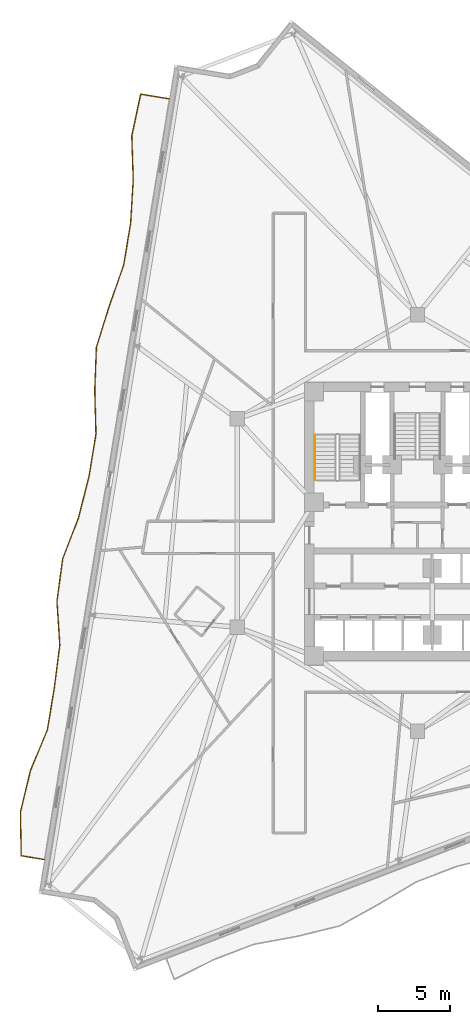
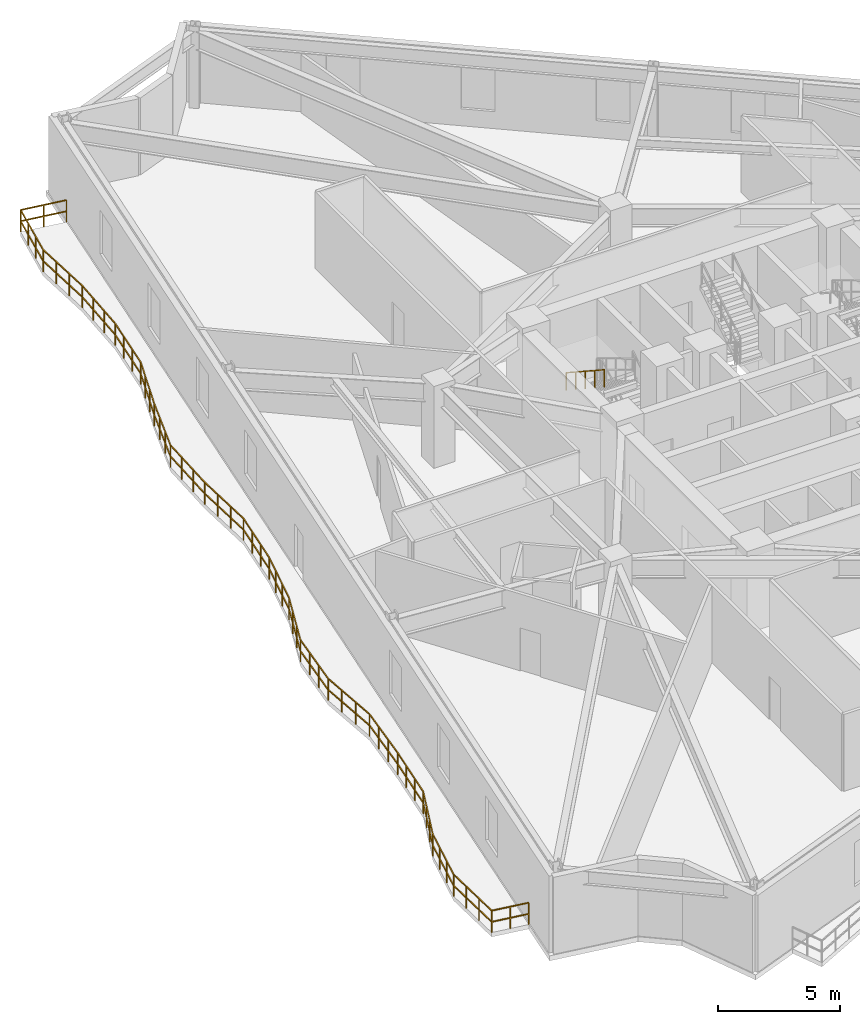
# One storey, part 9 of 10: 2 railings.
"""IFC4 building model written with IfcOpenShell, lengths in metres."""

import ifcopenshell
import ifcopenshell.guid

model = None  # the IFC model being written
_history = None  # IfcOwnerHistory: only IFC2X3 demands one
_inside = {}  # id of a spatial element -> (the spatial element, [elements in it])
_under = {}  # id of a project, library or spatial element -> (it, [spatial elements below it])
_declared = {}  # id of a project -> (the project, [libraries it declares])
_typed = {}  # id of a type object -> (the type object, [elements of that type])
_made_of = {}  # id of a material, layer set ... -> (it, [elements and type objects made of it])


def new_model(schema):
    """Start an empty IFC model of exactly this schema.

    Asked for "IFC4X3", IfcOpenShell would pick the latest addendum, in which some entities
    have other attributes; the version numbers below select the first issue.
    IFC2X3 requires an IfcOwnerHistory on every rooted entity: one is made here for all.
    """
    global model, _history
    if schema == "IFC4X3":
        model = ifcopenshell.file(schema_version=(4, 3, 0, 0))
    else:
        model = ifcopenshell.file(schema=schema)
    _inside.clear()
    _under.clear()
    _declared.clear()
    _typed.clear()
    _made_of.clear()
    _history = None
    if model.schema == "IFC2X3":
        org = make("IfcOrganization", Name="unknown")
        user = make(
            "IfcPersonAndOrganization",
            ThePerson=make("IfcPerson", FamilyName="unknown"),
            TheOrganization=org,
        )
        app = make(
            "IfcApplication",
            ApplicationDeveloper=org,
            Version="unknown",
            ApplicationFullName="unknown",
            ApplicationIdentifier="unknown",
        )
        _history = make(
            "IfcOwnerHistory",
            OwningUser=user,
            OwningApplication=app,
            ChangeAction="ADDED",
            CreationDate=0,
        )
    return model


def make(cls, **values):
    """One entity of the class cls with the attributes given. An attribute that is None is left unset."""
    return model.create_entity(
        cls, **{name: value for name, value in values.items() if value is not None}
    )


def rooted(cls, **values):
    """An entity with a GlobalId (a new one), such as an element, a storey or a relation."""
    return make(cls, GlobalId=ifcopenshell.guid.new(), OwnerHistory=_history, **values)


def si_unit(unit_type, name, prefix=None):
    """IfcSIUnit, for example si_unit("LENGTHUNIT", "METRE", prefix="MILLI")."""
    return make("IfcSIUnit", UnitType=unit_type, Prefix=prefix, Name=name)


def assignment(units):
    """IfcUnitAssignment: the units of a project."""
    return None if units is None else make("IfcUnitAssignment", Units=units)


def point(xyz):
    """IfcCartesianPoint."""
    return None if xyz is None else make("IfcCartesianPoint", Coordinates=xyz)


def direction(xyz):
    """IfcDirection."""
    return None if xyz is None else make("IfcDirection", DirectionRatios=xyz)


def frame(location, z_axis=None, x_axis=None):
    """IfcAxis2Placement3D, a coordinate frame: its origin and axes. An axis left out is left unset."""
    return make(
        "IfcAxis2Placement3D",
        Location=point(location),
        Axis=direction(z_axis),
        RefDirection=direction(x_axis),
    )


def frame_2d(location, x_axis=None):
    """IfcAxis2Placement2D, a coordinate frame in the plane: its origin and x axis."""
    return make(
        "IfcAxis2Placement2D", Location=point(location), RefDirection=direction(x_axis)
    )


def origin():
    """The frame at (0, 0, 0) with its axes left unset."""
    return frame((0.0, 0.0, 0.0))


def origin_2d():
    """The frame at (0, 0) in the plane with its x axis left unset."""
    return frame_2d((0.0, 0.0))


def place(relative_to, where):
    """IfcLocalPlacement: puts the frame where relative to a parent placement (None: the world)."""
    return make(
        "IfcLocalPlacement", PlacementRelTo=relative_to, RelativePlacement=where
    )


def context(
    kind, dimensions, precision=None, world=None, true_north=None, identifier=None
):
    """IfcGeometricRepresentationContext, for example the 3D "Model" context."""
    return make(
        "IfcGeometricRepresentationContext",
        ContextIdentifier=identifier,
        ContextType=kind,
        CoordinateSpaceDimension=dimensions,
        Precision=precision,
        WorldCoordinateSystem=world,
        TrueNorth=true_north,
    )


def subcontext(parent, identifier, kind, view, scale=None):
    """IfcGeometricRepresentationSubContext, for example "Body" below "Model"."""
    return make(
        "IfcGeometricRepresentationSubContext",
        ContextIdentifier=identifier,
        ContextType=kind,
        ParentContext=parent,
        TargetScale=scale,
        TargetView=view,
    )


def project(units=None, contexts=None):
    """IfcProject with its units and contexts."""
    return rooted(
        "IfcProject",
        Name="project",
        RepresentationContexts=contexts,
        UnitsInContext=assignment(units),
    )


def spatial(cls, under=None, at=None, **own):
    """A site, building, storey or space (cls), placed at a placement, below another one or the project."""
    s = rooted(cls, ObjectPlacement=at, **own)
    if under is not None:
        _under.setdefault(under.id(), (under, []))[1].append(s)
    return s


def profile(cls, at=None, kind="AREA", **sizes):
    """A parametric profile (cls). Its sizes go by their IFC names, for example OverallWidth=200.0."""
    return make(cls, ProfileType=kind, Position=at, **sizes)


def rectangle(**sizes):
    """IfcRectangleProfileDef."""
    return profile("IfcRectangleProfileDef", **sizes)


def extrude(swept, where, along, depth):
    """IfcExtrudedAreaSolid: the profile swept, set in the frame where, extruded along a direction by depth."""
    return make(
        "IfcExtrudedAreaSolid",
        SweptArea=swept,
        Position=where,
        ExtrudedDirection=direction(along),
        Depth=depth,
    )


def shape(context_of_items, identifier, shape_type, items):
    """IfcShapeRepresentation: the items that make up one representation, for example the "Body"."""
    return make(
        "IfcShapeRepresentation",
        ContextOfItems=context_of_items,
        RepresentationIdentifier=identifier,
        RepresentationType=shape_type,
        Items=items,
    )


def material(Name=None, Category=None):
    """IfcMaterial."""
    return make("IfcMaterial", Name=Name, Category=Category)


def made_of(thing, what):
    """Note that an element or type object is made of a material, layer set ...; save() writes the relation."""
    if what is not None:
        _made_of.setdefault(what.id(), (what, []))[1].append(thing)
    return thing


def type_object(cls, material=None, **own):
    """A type object (cls), such as IfcWallType, which elements share."""
    return made_of(rooted(cls, **own), material)


def element(
    cls,
    number,
    at=None,
    inside=None,
    cuts=None,
    type_object=None,
    material=None,
    context=None,
    identifier="Body",
    shape_type=None,
    held_by="IfcProductDefinitionShape",
    body=None,
    shapes=None,
    **own,
):
    """One element of the class cls, such as IfcWall. Its Tag is "e" and its number.

    at: its placement. inside: the storey or other place that contains it. cuts: it is an
    opening in that element (IfcRelVoidsElement). A single representation is given by context,
    identifier, shape_type and body (its items); several are given by shapes. held_by: the class
    of the entity that holds the representations. save() writes the other relations.
    """
    e = rooted(cls, Tag="e%d" % number, ObjectPlacement=at, **own)
    if body is not None:
        shapes = [shape(context, identifier, shape_type, body)]
    if shapes is not None:
        e.Representation = make(held_by, Representations=shapes)
    if inside is not None:
        _inside.setdefault(inside.id(), (inside, []))[1].append(e)
    if cuts is not None:
        rooted(
            "IfcRelVoidsElement", RelatingBuildingElement=cuts, RelatedOpeningElement=e
        )
    if type_object is not None:
        _typed.setdefault(type_object.id(), (type_object, []))[1].append(e)
    return made_of(e, material)


def aggregate(whole, parts):
    """IfcRelAggregates: a whole, such as a stair, and the parts it consists of."""
    return rooted("IfcRelAggregates", RelatingObject=whole, RelatedObjects=parts)


def save(model, path):
    """Write the relations noted so far, then the file.

    IfcRelAggregates (storeys below a building ...), IfcRelContainedInSpatialStructure (elements
    in a storey), IfcRelDefinesByType, IfcRelAssociatesMaterial and IfcRelDeclares: one each for
    every whole, place, type object, material and project.
    """
    for whole, parts in _under.values():
        aggregate(whole, parts)
    for where, things in _inside.values():
        rooted(
            "IfcRelContainedInSpatialStructure",
            RelatedElements=things,
            RelatingStructure=where,
        )
    for kind, things in _typed.values():
        rooted("IfcRelDefinesByType", RelatedObjects=things, RelatingType=kind)
    for what, things in _made_of.values():
        rooted("IfcRelAssociatesMaterial", RelatedObjects=things, RelatingMaterial=what)
    for by, libraries in _declared.values():
        rooted("IfcRelDeclares", RelatingContext=by, RelatedDefinitions=libraries)
    model.write(path)


model = new_model("IFC4")

# Units and contexts
model_context = context("Model", 3, precision=1e-05, world=origin(), true_north=direction((0.0, 1.0)))
body_context = subcontext(model_context, "Body", "Model", "MODEL_VIEW")
ifc_project = project(units=[si_unit("LENGTHUNIT", "METRE"), si_unit("AREAUNIT", "SQUARE_METRE"), si_unit("VOLUMEUNIT", "CUBIC_METRE"), si_unit("PLANEANGLEUNIT", "RADIAN"), si_unit("MASSUNIT", "GRAM", prefix="KILO")], contexts=[model_context])

# Site, building, storey
site_placement = place(None, origin())
site = spatial("IfcSite", under=ifc_project, at=site_placement, CompositionType="ELEMENT")
building_placement = place(site_placement, origin())
building = spatial("IfcBuilding", under=site, at=building_placement, Name="Apsidion Concourse Tower", CompositionType="ELEMENT")
storey_placement = place(building_placement, frame((0.0, 0.0, 144.5)))
storey = spatial("IfcBuildingStorey", under=building, at=storey_placement, Name="L33", CompositionType="ELEMENT", Elevation=144.5)

# Railings
ifc_material = material(Name="Brushed stainless steel 316", Category="steel")
railing_type_1 = type_object("IfcRailingType", Name="RL-BAL-1120", PredefinedType="BALUSTRADE", material=ifc_material)
railing_1_placement = place(storey_placement, frame((-25.99072265625, -23.43701171875, 0.0)))
element("IfcRailing", 1, at=railing_1_placement, inside=storey, type_object=railing_type_1, Name="L33 Face 1 Rippling Balcony Balustrade", PredefinedType="BALUSTRADE", context=body_context, shape_type="SweptSolid", body=[
    extrude(rectangle(XDim=0.048095703125, YDim=0.048095703125, at=origin_2d()), frame((0.0, 0.0, 1.09619140625), z_axis=(-0.986776208427, 0.162088600716, 0.0), x_axis=(-0.162088600716, -0.986776208427, 0.0)), (0.0, 0.0, 1.0), 1.628173828125),
    extrude(rectangle(XDim=0.048095703125, YDim=0.048095703125, at=origin_2d()), frame((0.0, 0.0, 0.5361328125), z_axis=(-0.986776208427, 0.162088600716, 0.0), x_axis=(-0.162088600716, -0.986776208427, 0.0)), (0.0, 0.0, 1.0), 1.628173828125),
    extrude(rectangle(XDim=0.048095703125, YDim=0.048095703125, at=origin_2d()), frame((-1.606689453125, 0.263916015625, 1.09619140625), z_axis=(-0.018597314575, 0.99982705499, 0.0), x_axis=(-0.99982705499, -0.018597314575, 0.0)), (0.0, 0.0, 1.0), 3.032470703125),
    extrude(rectangle(XDim=0.048095703125, YDim=0.048095703125, at=origin_2d()), frame((-1.606689453125, 0.263916015625, 0.5361328125), z_axis=(-0.018597314575, 0.99982705499, 0.0), x_axis=(-0.99982705499, -0.018597314575, 0.0)), (0.0, 0.0, 1.0), 3.032470703125),
    extrude(rectangle(XDim=0.048095703125, YDim=0.048095703125, at=origin_2d()), frame((-1.6630859375, 3.2958984375, 1.09619140625), z_axis=(0.23320932401, 0.972426558253, 0.0), x_axis=(-0.972426558253, 0.23320932401, 0.0)), (0.0, 0.0, 1.0), 2.990966796875),
    extrude(rectangle(XDim=0.048095703125, YDim=0.048095703125, at=origin_2d()), frame((-1.6630859375, 3.2958984375, 0.5361328125), z_axis=(0.23320932401, 0.972426558253, 0.0), x_axis=(-0.972426558253, 0.23320932401, 0.0)), (0.0, 0.0, 1.0), 2.990966796875),
    extrude(rectangle(XDim=0.048095703125, YDim=0.048095703125, at=origin_2d()), frame((-0.965576171875, 6.204345703125, 1.09619140625), z_axis=(0.385435147258, 0.92273492795, 0.0), x_axis=(-0.92273492795, 0.385435147258, 0.0)), (0.0, 0.0, 1.0), 3.065673828125),
    extrude(rectangle(XDim=0.048095703125, YDim=0.048095703125, at=origin_2d()), frame((-0.965576171875, 6.204345703125, 0.5361328125), z_axis=(0.385435147258, 0.92273492795, 0.0), x_axis=(-0.92273492795, 0.385435147258, 0.0)), (0.0, 0.0, 1.0), 3.065673828125),
    extrude(rectangle(XDim=0.048095703125, YDim=0.048095703125, at=origin_2d()), frame((0.216064453125, 9.033203125, 1.09619140625), z_axis=(0.161969706487, 0.986795730727, 0.0), x_axis=(-0.986795730727, 0.161969706487, 0.0)), (0.0, 0.0, 1.0), 2.98291015625),
    extrude(rectangle(XDim=0.048095703125, YDim=0.048095703125, at=origin_2d()), frame((0.216064453125, 9.033203125, 0.5361328125), z_axis=(0.161969706487, 0.986795730727, 0.0), x_axis=(-0.986795730727, 0.161969706487, 0.0)), (0.0, 0.0, 1.0), 2.98291015625),
    extrude(rectangle(XDim=0.048095703125, YDim=0.048095703125, at=origin_2d()), frame((0.69921875, 11.976806640625, 1.09619140625), z_axis=(0.127356211224, 0.991857043864, 0.0), x_axis=(-0.991857043864, 0.127356211224, 0.0)), (0.0, 0.0, 1.0), 2.98486328125),
    extrude(rectangle(XDim=0.048095703125, YDim=0.048095703125, at=origin_2d()), frame((0.69921875, 11.976806640625, 0.5361328125), z_axis=(0.127356211224, 0.991857043864, 0.0), x_axis=(-0.991857043864, 0.127356211224, 0.0)), (0.0, 0.0, 1.0), 2.98486328125),
    extrude(rectangle(XDim=0.048095703125, YDim=0.048095703125, at=origin_2d()), frame((1.079345703125, 14.937255859375, 1.09619140625), z_axis=(-0.064825405761, 0.997896621283, 0.0), x_axis=(-0.997896621283, -0.064825405761, 0.0)), (0.0, 0.0, 1.0), 3.061767578125),
    extrude(rectangle(XDim=0.048095703125, YDim=0.048095703125, at=origin_2d()), frame((1.079345703125, 14.937255859375, 0.5361328125), z_axis=(-0.064825405761, 0.997896621283, 0.0), x_axis=(-0.997896621283, -0.064825405761, 0.0)), (0.0, 0.0, 1.0), 3.061767578125),
    extrude(rectangle(XDim=0.048095703125, YDim=0.048095703125, at=origin_2d()), frame((0.880859375, 17.99267578125, 1.09619140625), z_axis=(0.133674697255, 0.99102526472, 0.0), x_axis=(-0.99102526472, 0.133674697255, 0.0)), (0.0, 0.0, 1.0), 2.984375),
    extrude(rectangle(XDim=0.048095703125, YDim=0.048095703125, at=origin_2d()), frame((0.880859375, 17.99267578125, 0.5361328125), z_axis=(0.133674697255, 0.99102526472, 0.0), x_axis=(-0.99102526472, 0.133674697255, 0.0)), (0.0, 0.0, 1.0), 2.984375),
    extrude(rectangle(XDim=0.048095703125, YDim=0.048095703125, at=origin_2d()), frame((1.27978515625, 20.9501953125, 1.09619140625), z_axis=(0.360578288489, 0.932728951984, 0.0), x_axis=(-0.932728951984, 0.360578288489, 0.0)), (0.0, 0.0, 1.0), 3.047607421875),
    extrude(rectangle(XDim=0.048095703125, YDim=0.048095703125, at=origin_2d()), frame((1.27978515625, 20.9501953125, 0.5361328125), z_axis=(0.360578288489, 0.932728951984, 0.0), x_axis=(-0.932728951984, 0.360578288489, 0.0)), (0.0, 0.0, 1.0), 3.047607421875),
    extrude(rectangle(XDim=0.048095703125, YDim=0.048095703125, at=origin_2d()), frame((2.378662109375, 23.792724609375, 1.09619140625), z_axis=(0.245949555055, 0.969282629767, 0.0), x_axis=(-0.969282629767, 0.245949555055, 0.0)), (0.0, 0.0, 1.0), 2.993896484375),
    extrude(rectangle(XDim=0.048095703125, YDim=0.048095703125, at=origin_2d()), frame((2.378662109375, 23.792724609375, 0.5361328125), z_axis=(0.245949555055, 0.969282629767, 0.0), x_axis=(-0.969282629767, 0.245949555055, 0.0)), (0.0, 0.0, 1.0), 2.993896484375),
    extrude(rectangle(XDim=0.048095703125, YDim=0.048095703125, at=origin_2d()), frame((3.114990234375, 26.694580078125, 1.09619140625), z_axis=(0.161969706487, 0.986795730727, 0.0), x_axis=(-0.986795730727, 0.161969706487, 0.0)), (0.0, 0.0, 1.0), 2.98291015625),
    extrude(rectangle(XDim=0.048095703125, YDim=0.048095703125, at=origin_2d()), frame((3.114990234375, 26.694580078125, 0.5361328125), z_axis=(0.161969706487, 0.986795730727, 0.0), x_axis=(-0.986795730727, 0.161969706487, 0.0)), (0.0, 0.0, 1.0), 2.98291015625),
    extrude(rectangle(XDim=0.048095703125, YDim=0.048095703125, at=origin_2d()), frame((3.59814453125, 29.63818359375, 1.09619140625), z_axis=(-0.028286771198, 0.999599849227, 0.0), x_axis=(-0.999599849227, -0.028286771198, 0.0)), (0.0, 0.0, 1.0), 3.0380859375),
    extrude(rectangle(XDim=0.048095703125, YDim=0.048095703125, at=origin_2d()), frame((3.59814453125, 29.63818359375, 0.5361328125), z_axis=(-0.028286771198, 0.999599849227, 0.0), x_axis=(-0.999599849227, -0.028286771198, 0.0)), (0.0, 0.0, 1.0), 3.0380859375),
    extrude(rectangle(XDim=0.048095703125, YDim=0.048095703125, at=origin_2d()), frame((3.51220703125, 32.675048828125, 1.09619140625), z_axis=(0.038330202382, 0.999265127774, 0.0), x_axis=(-0.999265127774, 0.038330202382, 0.0)), (0.0, 0.0, 1.0), 3.00634765625),
    extrude(rectangle(XDim=0.048095703125, YDim=0.048095703125, at=origin_2d()), frame((3.51220703125, 32.675048828125, 0.5361328125), z_axis=(0.038330202382, 0.999265127774, 0.0), x_axis=(-0.999265127774, 0.038330202382, 0.0)), (0.0, 0.0, 1.0), 3.00634765625),
    extrude(rectangle(XDim=0.048095703125, YDim=0.048095703125, at=origin_2d()), frame((3.62744140625, 35.67919921875, 1.09619140625), z_axis=(0.298325753844, 0.954464113832, 0.0), x_axis=(-0.954464113832, 0.298325753844, 0.0)), (0.0, 0.0, 1.0), 3.012451171875),
    extrude(rectangle(XDim=0.048095703125, YDim=0.048095703125, at=origin_2d()), frame((3.62744140625, 35.67919921875, 0.5361328125), z_axis=(0.298325753844, 0.954464113832, 0.0), x_axis=(-0.954464113832, 0.298325753844, 0.0)), (0.0, 0.0, 1.0), 3.012451171875),
    extrude(rectangle(XDim=0.048095703125, YDim=0.048095703125, at=origin_2d()), frame((4.526123046875, 38.554443359375, 1.09619140625), z_axis=(0.331635279584, 0.943407675046, 0.0), x_axis=(-0.943407675046, 0.331635279584, 0.0)), (0.0, 0.0, 1.0), 3.029296875),
    extrude(rectangle(XDim=0.048095703125, YDim=0.048095703125, at=origin_2d()), frame((4.526123046875, 38.554443359375, 0.5361328125), z_axis=(0.331635279584, 0.943407675046, 0.0), x_axis=(-0.943407675046, 0.331635279584, 0.0)), (0.0, 0.0, 1.0), 3.029296875),
    extrude(rectangle(XDim=0.048095703125, YDim=0.048095703125, at=origin_2d()), frame((5.53076171875, 41.412353515625, 1.09619140625), z_axis=(0.161969706487, 0.986795730727, 0.0), x_axis=(-0.986795730727, 0.161969706487, 0.0)), (0.0, 0.0, 1.0), 2.98291015625),
    extrude(rectangle(XDim=0.048095703125, YDim=0.048095703125, at=origin_2d()), frame((5.53076171875, 41.412353515625, 0.5361328125), z_axis=(0.161969706487, 0.986795730727, 0.0), x_axis=(-0.986795730727, 0.161969706487, 0.0)), (0.0, 0.0, 1.0), 2.98291015625),
    extrude(rectangle(XDim=0.048095703125, YDim=0.048095703125, at=origin_2d()), frame((6.013916015625, 44.35595703125, 1.09619140625), z_axis=(0.059590537139, 0.998222904908, 0.0), x_axis=(-0.998222904908, 0.059590537139, 0.0)), (0.0, 0.0, 1.0), 2.9990234375),
    extrude(rectangle(XDim=0.048095703125, YDim=0.048095703125, at=origin_2d()), frame((6.013916015625, 44.35595703125, 0.5361328125), z_axis=(0.059590537139, 0.998222904908, 0.0), x_axis=(-0.998222904908, 0.059590537139, 0.0)), (0.0, 0.0, 1.0), 2.9990234375),
    extrude(rectangle(XDim=0.048095703125, YDim=0.048095703125, at=origin_2d()), frame((6.192626953125, 47.349609375, 1.09619140625), z_axis=(-0.033715760169, 0.99943146214, 0.0), x_axis=(-0.99943146214, -0.033715760169, 0.0)), (0.0, 0.0, 1.0), 3.041259765625),
    extrude(rectangle(XDim=0.048095703125, YDim=0.048095703125, at=origin_2d()), frame((6.192626953125, 47.349609375, 0.5361328125), z_axis=(-0.033715760169, 0.99943146214, 0.0), x_axis=(-0.99943146214, -0.033715760169, 0.0)), (0.0, 0.0, 1.0), 3.041259765625),
    extrude(rectangle(XDim=0.048095703125, YDim=0.048095703125, at=origin_2d()), frame((6.090087890625, 50.38916015625, 1.09619140625), z_axis=(0.208864692933, 0.977944548554, 0.0), x_axis=(-0.977944548554, 0.208864692933, 0.0)), (0.0, 0.0, 1.0), 2.986572265625),
    extrude(rectangle(XDim=0.048095703125, YDim=0.048095703125, at=origin_2d()), frame((6.090087890625, 50.38916015625, 0.5361328125), z_axis=(0.208864692933, 0.977944548554, 0.0), x_axis=(-0.977944548554, 0.208864692933, 0.0)), (0.0, 0.0, 1.0), 2.986572265625),
    extrude(rectangle(XDim=0.048095703125, YDim=0.048095703125, at=origin_2d()), frame((6.7138671875, 53.309814453125, 1.09619140625), z_axis=(0.986781844076, -0.162054287824, 0.0), x_axis=(0.162054287824, 0.986781844076, 0.0)), (0.0, 0.0, 1.0), 2.009765625),
    extrude(rectangle(XDim=0.048095703125, YDim=0.048095703125, at=origin_2d()), frame((6.7138671875, 53.309814453125, 0.5361328125), z_axis=(0.986781844076, -0.162054287824, 0.0), x_axis=(0.162054287824, 0.986781844076, 0.0)), (0.0, 0.0, 1.0), 2.009765625),
    extrude(rectangle(XDim=0.0419921875, YDim=0.0419921875, at=origin_2d()), origin(), (0.0, 0.0, 1.0), 1.072021484375),
    extrude(rectangle(XDim=0.0419921875, YDim=0.0419921875, at=origin_2d()), frame((-0.80322265625, 0.1318359375, 0.0)), (0.0, 0.0, 1.0), 1.072021484375),
    extrude(rectangle(XDim=0.0419921875, YDim=0.0419921875, at=origin_2d()), frame((-1.606689453125, 0.263916015625, 0.0)), (0.0, 0.0, 1.0), 1.072021484375),
    extrude(rectangle(XDim=0.0419921875, YDim=0.0419921875, at=origin_2d()), frame((-1.62548828125, 1.274658203125, 0.0)), (0.0, 0.0, 1.0), 1.072021484375),
    extrude(rectangle(XDim=0.0419921875, YDim=0.0419921875, at=origin_2d()), frame((-1.644287109375, 2.28515625, 0.0)), (0.0, 0.0, 1.0), 1.072021484375),
    extrude(rectangle(XDim=0.0419921875, YDim=0.0419921875, at=origin_2d()), frame((-1.6630859375, 3.2958984375, 0.0)), (0.0, 0.0, 1.0), 1.072021484375),
    extrude(rectangle(XDim=0.0419921875, YDim=0.0419921875, at=origin_2d()), frame((-1.4306640625, 4.265380859375, 0.0)), (0.0, 0.0, 1.0), 1.072021484375),
    extrude(rectangle(XDim=0.0419921875, YDim=0.0419921875, at=origin_2d()), frame((-1.197998046875, 5.23486328125, 0.0)), (0.0, 0.0, 1.0), 1.072021484375),
    extrude(rectangle(XDim=0.0419921875, YDim=0.0419921875, at=origin_2d()), frame((-0.965576171875, 6.204345703125, 0.0)), (0.0, 0.0, 1.0), 1.072021484375),
    extrude(rectangle(XDim=0.0419921875, YDim=0.0419921875, at=origin_2d()), frame((-0.57177734375, 7.147216796875, 0.0)), (0.0, 0.0, 1.0), 1.072021484375),
    extrude(rectangle(XDim=0.0419921875, YDim=0.0419921875, at=origin_2d()), frame((-0.177734375, 8.09033203125, 0.0)), (0.0, 0.0, 1.0), 1.072021484375),
    extrude(rectangle(XDim=0.0419921875, YDim=0.0419921875, at=origin_2d()), frame((0.216064453125, 9.033203125, 0.0)), (0.0, 0.0, 1.0), 1.072021484375),
    extrude(rectangle(XDim=0.0419921875, YDim=0.0419921875, at=origin_2d()), frame((0.377197265625, 10.014404296875, 0.0)), (0.0, 0.0, 1.0), 1.072021484375),
    extrude(rectangle(XDim=0.0419921875, YDim=0.0419921875, at=origin_2d()), frame((0.5380859375, 10.99560546875, 0.0)), (0.0, 0.0, 1.0), 1.072021484375),
    extrude(rectangle(XDim=0.0419921875, YDim=0.0419921875, at=origin_2d()), frame((0.69921875, 11.976806640625, 0.0)), (0.0, 0.0, 1.0), 1.072021484375),
    extrude(rectangle(XDim=0.0419921875, YDim=0.0419921875, at=origin_2d()), frame((0.825927734375, 12.963623046875, 0.0)), (0.0, 0.0, 1.0), 1.072021484375),
    extrude(rectangle(XDim=0.0419921875, YDim=0.0419921875, at=origin_2d()), frame((0.95263671875, 13.950439453125, 0.0)), (0.0, 0.0, 1.0), 1.072021484375),
    extrude(rectangle(XDim=0.0419921875, YDim=0.0419921875, at=origin_2d()), frame((1.079345703125, 14.937255859375, 0.0)), (0.0, 0.0, 1.0), 1.072021484375),
    extrude(rectangle(XDim=0.0419921875, YDim=0.0419921875, at=origin_2d()), frame((1.01318359375, 15.955810546875, 0.0)), (0.0, 0.0, 1.0), 1.072021484375),
    extrude(rectangle(XDim=0.0419921875, YDim=0.0419921875, at=origin_2d()), frame((0.947021484375, 16.97412109375, 0.0)), (0.0, 0.0, 1.0), 1.072021484375),
    extrude(rectangle(XDim=0.0419921875, YDim=0.0419921875, at=origin_2d()), frame((0.880859375, 17.99267578125, 0.0)), (0.0, 0.0, 1.0), 1.072021484375),
    extrude(rectangle(XDim=0.0419921875, YDim=0.0419921875, at=origin_2d()), frame((1.013916015625, 18.978515625, 0.0)), (0.0, 0.0, 1.0), 1.072021484375),
    extrude(rectangle(XDim=0.0419921875, YDim=0.0419921875, at=origin_2d()), frame((1.146728515625, 19.96435546875, 0.0)), (0.0, 0.0, 1.0), 1.072021484375),
    extrude(rectangle(XDim=0.0419921875, YDim=0.0419921875, at=origin_2d()), frame((1.27978515625, 20.9501953125, 0.0)), (0.0, 0.0, 1.0), 1.072021484375),
    extrude(rectangle(XDim=0.0419921875, YDim=0.0419921875, at=origin_2d()), frame((1.64599609375, 21.897705078125, 0.0)), (0.0, 0.0, 1.0), 1.072021484375),
    extrude(rectangle(XDim=0.0419921875, YDim=0.0419921875, at=origin_2d()), frame((2.012451171875, 22.84521484375, 0.0)), (0.0, 0.0, 1.0), 1.072021484375),
    extrude(rectangle(XDim=0.0419921875, YDim=0.0419921875, at=origin_2d()), frame((2.378662109375, 23.792724609375, 0.0)), (0.0, 0.0, 1.0), 1.072021484375),
    extrude(rectangle(XDim=0.0419921875, YDim=0.0419921875, at=origin_2d()), frame((2.6240234375, 24.760009765625, 0.0)), (0.0, 0.0, 1.0), 1.072021484375),
    extrude(rectangle(XDim=0.0419921875, YDim=0.0419921875, at=origin_2d()), frame((2.86962890625, 25.727294921875, 0.0)), (0.0, 0.0, 1.0), 1.072021484375),
    extrude(rectangle(XDim=0.0419921875, YDim=0.0419921875, at=origin_2d()), frame((3.114990234375, 26.694580078125, 0.0)), (0.0, 0.0, 1.0), 1.072021484375),
    extrude(rectangle(XDim=0.0419921875, YDim=0.0419921875, at=origin_2d()), frame((3.276123046875, 27.67578125, 0.0)), (0.0, 0.0, 1.0), 1.072021484375),
    extrude(rectangle(XDim=0.0419921875, YDim=0.0419921875, at=origin_2d()), frame((3.43701171875, 28.656982421875, 0.0)), (0.0, 0.0, 1.0), 1.072021484375),
    extrude(rectangle(XDim=0.0419921875, YDim=0.0419921875, at=origin_2d()), frame((3.59814453125, 29.63818359375, 0.0)), (0.0, 0.0, 1.0), 1.072021484375),
    extrude(rectangle(XDim=0.0419921875, YDim=0.0419921875, at=origin_2d()), frame((3.569580078125, 30.650390625, 0.0)), (0.0, 0.0, 1.0), 1.072021484375),
    extrude(rectangle(XDim=0.0419921875, YDim=0.0419921875, at=origin_2d()), frame((3.540771484375, 31.662841796875, 0.0)), (0.0, 0.0, 1.0), 1.072021484375),
    extrude(rectangle(XDim=0.0419921875, YDim=0.0419921875, at=origin_2d()), frame((3.51220703125, 32.675048828125, 0.0)), (0.0, 0.0, 1.0), 1.072021484375),
    extrude(rectangle(XDim=0.0419921875, YDim=0.0419921875, at=origin_2d()), frame((3.550537109375, 33.676513671875, 0.0)), (0.0, 0.0, 1.0), 1.072021484375),
    extrude(rectangle(XDim=0.0419921875, YDim=0.0419921875, at=origin_2d()), frame((3.589111328125, 34.677734375, 0.0)), (0.0, 0.0, 1.0), 1.072021484375),
    extrude(rectangle(XDim=0.0419921875, YDim=0.0419921875, at=origin_2d()), frame((3.62744140625, 35.67919921875, 0.0)), (0.0, 0.0, 1.0), 1.072021484375),
    extrude(rectangle(XDim=0.0419921875, YDim=0.0419921875, at=origin_2d()), frame((3.927001953125, 36.6376953125, 0.0)), (0.0, 0.0, 1.0), 1.072021484375),
    extrude(rectangle(XDim=0.0419921875, YDim=0.0419921875, at=origin_2d()), frame((4.2265625, 37.595947265625, 0.0)), (0.0, 0.0, 1.0), 1.072021484375),
    extrude(rectangle(XDim=0.0419921875, YDim=0.0419921875, at=origin_2d()), frame((4.526123046875, 38.554443359375, 0.0)), (0.0, 0.0, 1.0), 1.072021484375),
    extrude(rectangle(XDim=0.0419921875, YDim=0.0419921875, at=origin_2d()), frame((4.861083984375, 39.507080078125, 0.0)), (0.0, 0.0, 1.0), 1.072021484375),
    extrude(rectangle(XDim=0.0419921875, YDim=0.0419921875, at=origin_2d()), frame((5.19580078125, 40.459716796875, 0.0)), (0.0, 0.0, 1.0), 1.072021484375),
    extrude(rectangle(XDim=0.0419921875, YDim=0.0419921875, at=origin_2d()), frame((5.53076171875, 41.412353515625, 0.0)), (0.0, 0.0, 1.0), 1.072021484375),
    extrude(rectangle(XDim=0.0419921875, YDim=0.0419921875, at=origin_2d()), frame((5.69189453125, 42.3935546875, 0.0)), (0.0, 0.0, 1.0), 1.072021484375),
    extrude(rectangle(XDim=0.0419921875, YDim=0.0419921875, at=origin_2d()), frame((5.852783203125, 43.374755859375, 0.0)), (0.0, 0.0, 1.0), 1.072021484375),
    extrude(rectangle(XDim=0.0419921875, YDim=0.0419921875, at=origin_2d()), frame((6.013916015625, 44.35595703125, 0.0)), (0.0, 0.0, 1.0), 1.072021484375),
    extrude(rectangle(XDim=0.0419921875, YDim=0.0419921875, at=origin_2d()), frame((6.073486328125, 45.353759765625, 0.0)), (0.0, 0.0, 1.0), 1.072021484375),
    extrude(rectangle(XDim=0.0419921875, YDim=0.0419921875, at=origin_2d()), frame((6.133056640625, 46.351806640625, 0.0)), (0.0, 0.0, 1.0), 1.072021484375),
    extrude(rectangle(XDim=0.0419921875, YDim=0.0419921875, at=origin_2d()), frame((6.192626953125, 47.349609375, 0.0)), (0.0, 0.0, 1.0), 1.072021484375),
    extrude(rectangle(XDim=0.0419921875, YDim=0.0419921875, at=origin_2d()), frame((6.158447265625, 48.36279296875, 0.0)), (0.0, 0.0, 1.0), 1.072021484375),
    extrude(rectangle(XDim=0.0419921875, YDim=0.0419921875, at=origin_2d()), frame((6.124267578125, 49.3759765625, 0.0)), (0.0, 0.0, 1.0), 1.072021484375),
    extrude(rectangle(XDim=0.0419921875, YDim=0.0419921875, at=origin_2d()), frame((6.090087890625, 50.38916015625, 0.0)), (0.0, 0.0, 1.0), 1.072021484375),
    extrude(rectangle(XDim=0.0419921875, YDim=0.0419921875, at=origin_2d()), frame((6.298095703125, 51.36279296875, 0.0)), (0.0, 0.0, 1.0), 1.072021484375),
    extrude(rectangle(XDim=0.0419921875, YDim=0.0419921875, at=origin_2d()), frame((6.505859375, 52.336181640625, 0.0)), (0.0, 0.0, 1.0), 1.072021484375),
    extrude(rectangle(XDim=0.0419921875, YDim=0.0419921875, at=origin_2d()), frame((6.7138671875, 53.309814453125, 0.0)), (0.0, 0.0, 1.0), 1.072021484375),
    extrude(rectangle(XDim=0.0419921875, YDim=0.0419921875, at=origin_2d()), frame((7.70556640625, 53.14697265625, 0.0)), (0.0, 0.0, 1.0), 1.072021484375),
    extrude(rectangle(XDim=0.0419921875, YDim=0.0419921875, at=origin_2d()), frame((8.697021484375, 52.984130859375, 0.0)), (0.0, 0.0, 1.0), 1.072021484375),
])
railing_type_2 = type_object("IfcRailingType", Name="RL-HAND-900", PredefinedType="HANDRAIL", material=ifc_material)
railing_2_placement = place(storey_placement, frame((-7.14990234375, 6.135009765625, 2.220947265625)))
element("IfcRailing", 2, at=railing_2_placement, inside=storey, type_object=railing_type_2, Name="L33 ST1 stair handrail 2", PredefinedType="HANDRAIL", context=body_context, shape_type="SweptSolid", body=[
    extrude(rectangle(XDim=0.048095703125, YDim=0.048095703125, at=origin_2d()), frame((0.0, 0.0, 0.8759765625), z_axis=(0.0, -0.836970762213, 0.547247606848), x_axis=(1.0, 0.0, 0.0)), (0.0, 0.0, 1.0), 3.74560546875),
    extrude(rectangle(XDim=0.0419921875, YDim=0.0419921875, at=origin_2d()), origin(), (0.0, 0.0, 1.0), 0.851806640625),
    extrude(rectangle(XDim=0.0419921875, YDim=0.0419921875, at=origin_2d()), frame((0.0, -0.78369140625, 0.512451171875)), (0.0, 0.0, 1.0), 0.851806640625),
    extrude(rectangle(XDim=0.0419921875, YDim=0.0419921875, at=origin_2d()), frame((0.0, -1.5673828125, 1.02490234375)), (0.0, 0.0, 1.0), 0.851806640625),
    extrude(rectangle(XDim=0.0419921875, YDim=0.0419921875, at=origin_2d()), frame((0.0, -2.351318359375, 1.537353515625)), (0.0, 0.0, 1.0), 0.851806640625),
    extrude(rectangle(XDim=0.0419921875, YDim=0.0419921875, at=origin_2d()), frame((0.0, -3.135009765625, 2.0498046875)), (0.0, 0.0, 1.0), 0.851806640625),
])

save(model, "model.ifc")
